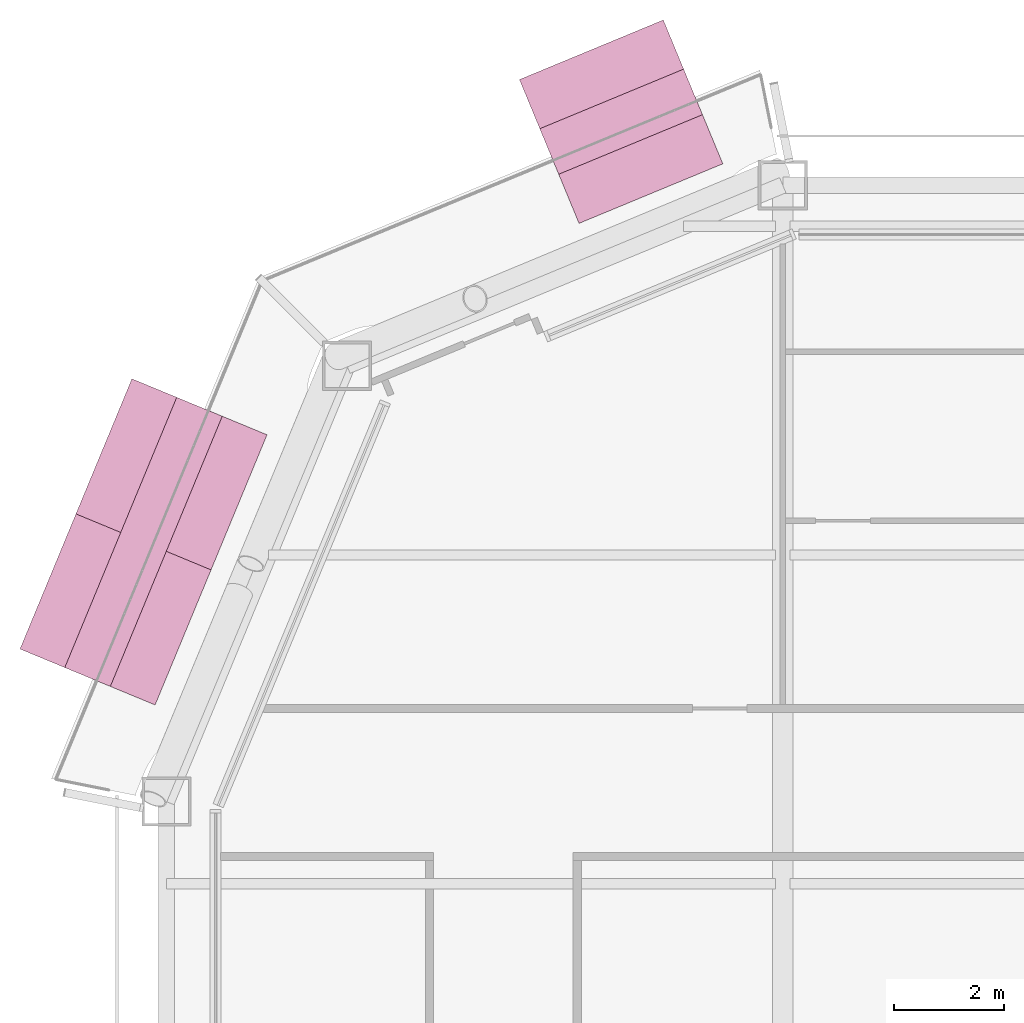
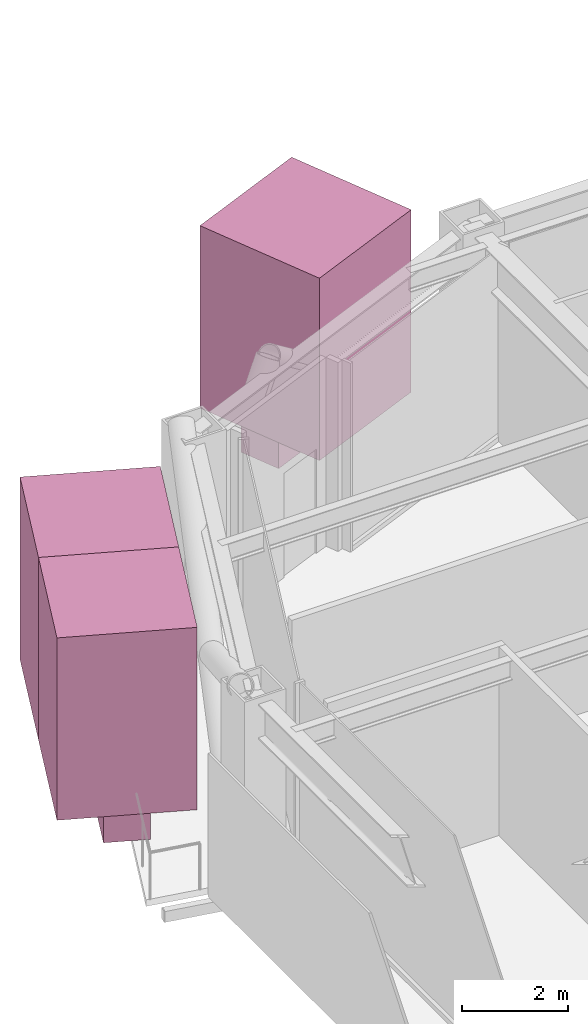
# One storey, part 23 of 23: 5 furnishings.
"""IFC4 building model written with IfcOpenShell, lengths in metres."""

from ifc_helpers import new_model, si_unit, direction, frame, origin, origin_2d, place, context, subcontext, project, spatial, rectangle, extrude, material, type_object, element, save


model = new_model("IFC4")

# Units and contexts
model_context = context("Model", 3, precision=1e-05, world=origin(), true_north=direction((0.0, 1.0)))
body_context = subcontext(model_context, "Body", "Model", "MODEL_VIEW")
ifc_project = project(units=[si_unit("LENGTHUNIT", "METRE"), si_unit("AREAUNIT", "SQUARE_METRE"), si_unit("VOLUMEUNIT", "CUBIC_METRE"), si_unit("PLANEANGLEUNIT", "RADIAN"), si_unit("MASSUNIT", "GRAM", prefix="KILO")], contexts=[model_context])

# Site, building, storey
site_placement = place(None, origin())
site = spatial("IfcSite", under=ifc_project, at=site_placement, CompositionType="ELEMENT")
building_placement = place(site_placement, origin())
building = spatial("IfcBuilding", under=site, at=building_placement, Name="Siwar Civic Tower", CompositionType="ELEMENT")
storey_placement = place(building_placement, frame((0.0, 0.0, 154.199951171875)))
storey = spatial("IfcBuildingStorey", under=building, at=storey_placement, Name="L33", CompositionType="ELEMENT", Elevation=154.199951171875)

# Furnishings
ifc_material_1 = material(Name="Planting soil and foliage")
furnishing_element_type_1 = type_object("IfcFurnishingElementType", Name="ENV-PLANTER", material=ifc_material_1)
furnishing_1_placement = place(storey_placement, frame((-20.949951171875, 30.409423828125, 0.0), z_axis=(0.0, 0.0, 1.0), x_axis=(-0.923879532511, -0.382683432365, 0.0)))
element("IfcFurnishingElement", 1, at=furnishing_1_placement, inside=storey, type_object=furnishing_element_type_1, Name="PLANTER NW 1", context=body_context, shape_type="SweptSolid", body=[
    extrude(rectangle(XDim=2.84130859375, YDim=0.89990234375, at=origin_2d()), origin(), (0.0, 0.0, 1.0), 0.60009765625),
])
furnishing_2_placement = place(storey_placement, frame((-29.66796875, 22.73974609375, 0.0), z_axis=(0.0, 0.0, 1.0), x_axis=(-0.382683432365, -0.923879532511, 0.0)))
element("IfcFurnishingElement", 2, at=furnishing_2_placement, inside=storey, type_object=furnishing_element_type_1, Name="PLANTER NW 2", context=body_context, shape_type="SweptSolid", body=[
    extrude(rectangle(XDim=5.33837890625, YDim=0.89990234375, at=origin_2d()), origin(), (0.0, 0.0, 1.0), 0.60009765625),
])
ifc_material_2 = material(Name="Planting soil and foliage")
furnishing_element_type_2 = type_object("IfcFurnishingElementType", Name="ENV-TREE", material=ifc_material_2)
furnishing_3_placement = place(storey_placement, frame((-20.949951171875, 30.409423828125, 0.60009765625), z_axis=(0.0, 0.0, 1.0), x_axis=(-0.923879532511, -0.382683432365, 0.0)))
element("IfcFurnishingElement", 3, at=furnishing_3_placement, inside=storey, type_object=furnishing_element_type_2, Name="PLANTER (TREE) NW 1.1", context=body_context, shape_type="SweptSolid", body=[
    extrude(rectangle(XDim=2.84130859375, YDim=2.84130859375, at=origin_2d()), origin(), (0.0, 0.0, 1.0), 4.199951171875),
])
for number, where, z_axis, x_axis, name in (
    (4, (-29.1572265625, 23.972900390625, 0.60009765625), (0.0, 0.0, 1.0), (-0.382683432365, -0.923879532511, 0.0), "PLANTER (TREE) NW 2.1"),
    (5, (-30.1787109375, 21.5068359375, 0.60009765625), (0.0, 0.0, 1.0), (-0.382683432365, -0.923879532511, 0.0), "PLANTER (TREE) NW 2.2"),
):
    element("IfcFurnishingElement", number, at=place(storey_placement, frame(where, z_axis=z_axis, x_axis=x_axis)), inside=storey, type_object=furnishing_element_type_2, Name=name, context=body_context, shape_type="SweptSolid", body=[
        extrude(rectangle(XDim=2.669189453125, YDim=2.669189453125, at=origin_2d()), origin(), (0.0, 0.0, 1.0), 4.199951171875),
    ])

save(model, "model.ifc")
